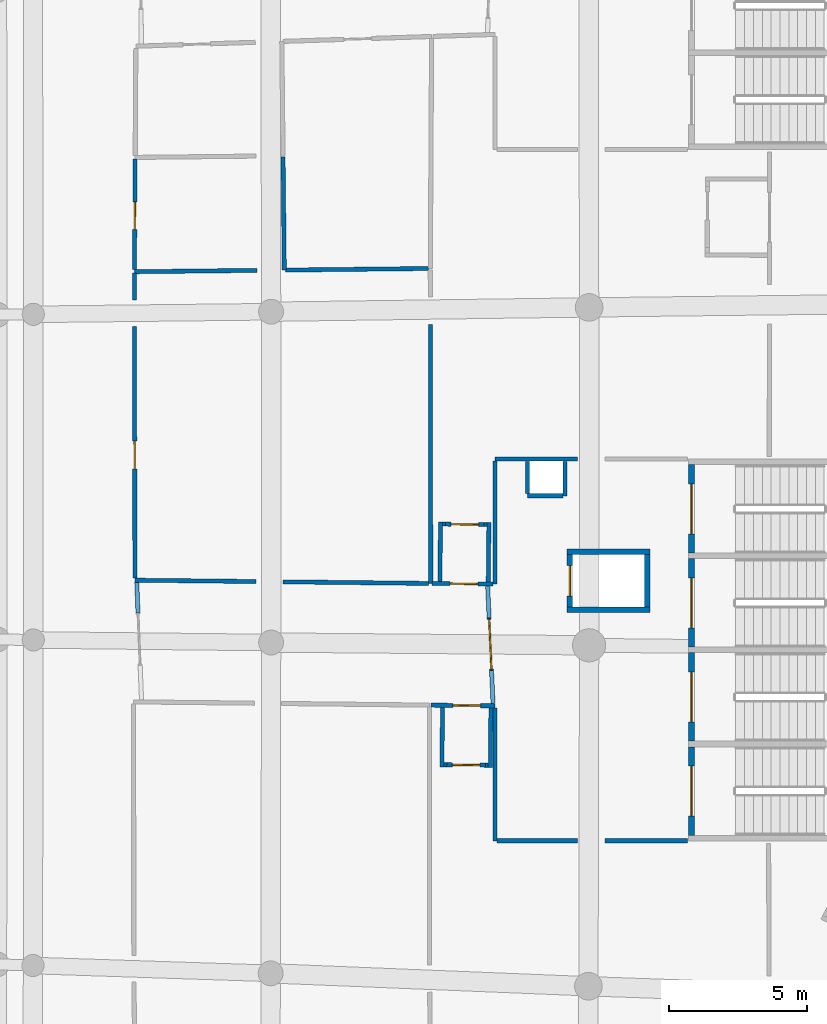
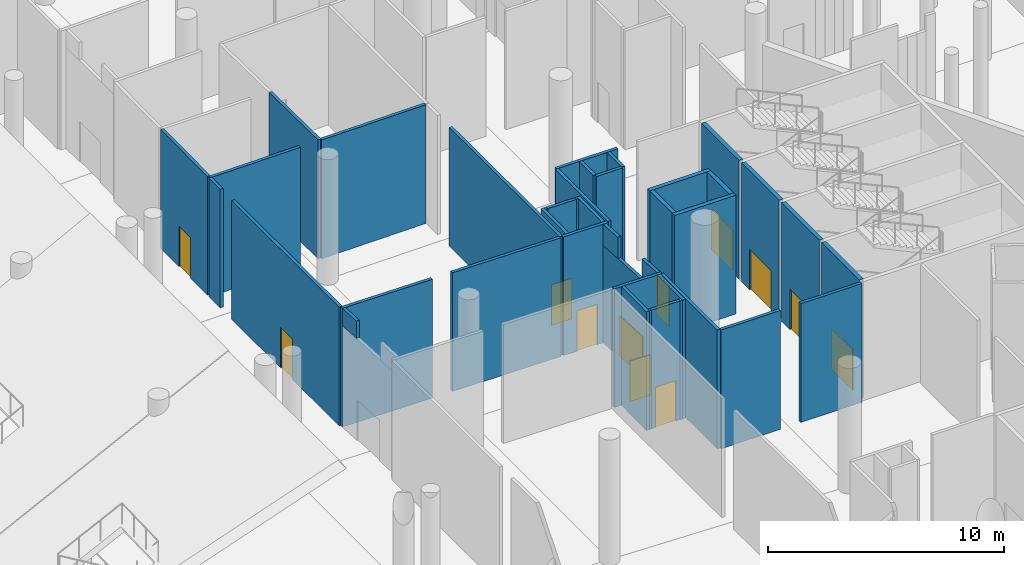
# One storey, part 130 of 255: 41 walls, 12 doors, 12 openings.
"""IFC4 building model written with IfcOpenShell, lengths in metres."""

from ifc_helpers import new_model, si_unit, direction, frame, frame_2d, origin, place, context, subcontext, project, spatial, rectangle, extrude, material, layer, layer_set, type_object, element, fill, save


model = new_model("IFC4")

# Units and contexts
model_context = context("Model", 3, precision=1e-05, world=origin(), true_north=direction((0.0, 1.0)))
body_context = subcontext(model_context, "Body", "Model", "MODEL_VIEW")
ifc_project = project(units=[si_unit("LENGTHUNIT", "METRE"), si_unit("AREAUNIT", "SQUARE_METRE"), si_unit("VOLUMEUNIT", "CUBIC_METRE"), si_unit("PLANEANGLEUNIT", "RADIAN"), si_unit("MASSUNIT", "GRAM", prefix="KILO")], contexts=[model_context])

# Site, building, storey
site_placement = place(None, origin())
site = spatial("IfcSite", under=ifc_project, at=site_placement, CompositionType="ELEMENT")
building_placement = place(site_placement, origin())
building = spatial("IfcBuilding", under=site, at=building_placement, Name="Meseta Stadium", CompositionType="ELEMENT")
storey_placement = place(building_placement, origin())
storey = spatial("IfcBuildingStorey", under=building, at=storey_placement, Name="L00", CompositionType="ELEMENT", Elevation=0.0)

# Wall, opening, door
ifc_material_1 = material(Name="Concrete C40/50", Category="concrete")
ifc_layer_1 = layer(ifc_material_1, 0.199951171875)
ifc_layer_set_1 = layer_set([ifc_layer_1], Name="Core shaft wall 200")
wall_type_1 = type_object("IfcWallType", Name="Core shaft wall 200", PredefinedType="SHEAR", material=ifc_layer_set_1)
wall_1_placement = place(storey_placement, frame((88.699951171875, -12.949951171875, 0.0), z_axis=(0.0, 0.0, 1.0), x_axis=(0.0, 1.0, 0.0)))
wall_1 = element("IfcWall", 1, at=wall_1_placement, inside=storey, type_object=wall_type_1, Name="Core 03 L00 stair A1 inner end wall", PredefinedType="SHEAR", context=body_context, shape_type="SweptSolid", body=[
    extrude(rectangle(XDim=3.199951171875, YDim=0.199951171875, at=frame_2d((1.60009765625, 0.0))), origin(), (0.0, 0.0, 1.0), 6.14990234375),
])
opening_1_placement = place(wall_1_placement, frame((0.699951171875, 0.0, 0.0)))
opening_1 = element("IfcOpeningElement", 2, at=opening_1_placement, cuts=wall_1, Name="Opening D059", PredefinedType="OPENING", context=body_context, shape_type="SweptSolid", body=[
    extrude(rectangle(XDim=1.800048828125, YDim=2.10009765625, at=frame_2d((0.89990234375, 1.050048828125))), frame((0.0, 0.10986328125, 0.0), z_axis=(0.0, -1.0, 0.0), x_axis=(1.0, 0.0, 0.0)), (0.0, 0.0, 1.0), 0.219970703125),
])
ifc_material_2 = material(Name="Steel", Category="steel")
door_type_1 = type_object("IfcDoorType", Name="Stair door 1800x2100", OperationType="DOUBLE_DOOR_SINGLE_SWING", PredefinedType="DOOR", material=ifc_material_2)
door_1_placement = place(opening_1_placement, origin())
door_1 = element("IfcDoor", 3, at=door_1_placement, inside=storey, type_object=door_type_1, Name="Stair A1 door 03 L00", OperationType="DOUBLE_DOOR_SINGLE_SWING", OverallHeight=2.10009765625, OverallWidth=1.800048828125, PredefinedType="DOOR", context=body_context, shape_type="SweptSolid", body=[
    extrude(rectangle(XDim=1.800048828125, YDim=2.10009765625, at=frame_2d((0.89990234375, 1.050048828125))), frame((0.0, 0.02490234375, 0.0), z_axis=(0.0, -1.0, 0.0), x_axis=(1.0, 0.0, 0.0)), (0.0, 0.0, 1.0), 0.050048828125),
])
fill(opening_1, door_1)

wall_2_placement = place(storey_placement, frame((88.699951171875, -9.550048828125, 0.0), z_axis=(0.0, 0.0, 1.0), x_axis=(0.0, 1.0, 0.0)))
wall_2 = element("IfcWall", 4, at=wall_2_placement, inside=storey, type_object=wall_type_1, Name="Core 03 L00 stair A2 inner end wall", PredefinedType="SHEAR", context=body_context, shape_type="SweptSolid", body=[
    extrude(rectangle(XDim=3.199951171875, YDim=0.199951171875, at=frame_2d((1.60009765625, 0.0))), origin(), (0.0, 0.0, 1.0), 6.14990234375),
])
opening_2_placement = place(wall_2_placement, frame((0.699951171875, 0.0, 0.0)))
opening_2 = element("IfcOpeningElement", 5, at=opening_2_placement, cuts=wall_2, Name="Opening D060", PredefinedType="OPENING", context=body_context, shape_type="SweptSolid", body=[
    extrude(rectangle(XDim=1.800048828125, YDim=2.10009765625, at=frame_2d((0.89990234375, 1.050048828125))), frame((0.0, 0.10986328125, 0.0), z_axis=(0.0, -1.0, 0.0), x_axis=(1.0, 0.0, 0.0)), (0.0, 0.0, 1.0), 0.219970703125),
])
door_2_placement = place(opening_2_placement, origin())
door_2 = element("IfcDoor", 6, at=door_2_placement, inside=storey, type_object=door_type_1, Name="Stair A2 door 03 L00", OperationType="DOUBLE_DOOR_SINGLE_SWING", OverallHeight=2.10009765625, OverallWidth=1.800048828125, PredefinedType="DOOR", context=body_context, shape_type="SweptSolid", body=[
    extrude(rectangle(XDim=1.800048828125, YDim=2.10009765625, at=frame_2d((0.89990234375, 1.050048828125))), frame((0.0, 0.02490234375, 0.0), z_axis=(0.0, -1.0, 0.0), x_axis=(1.0, 0.0, 0.0)), (0.0, 0.0, 1.0), 0.050048828125),
])
fill(opening_2, door_2)

wall_3_placement = place(storey_placement, frame((88.699951171875, -6.14990234375, 0.0), z_axis=(0.0, 0.0, 1.0), x_axis=(0.0, 1.0, 0.0)))
wall_3 = element("IfcWall", 7, at=wall_3_placement, inside=storey, type_object=wall_type_1, Name="Core 03 L00 stair B1 inner end wall", PredefinedType="SHEAR", context=body_context, shape_type="SweptSolid", body=[
    extrude(rectangle(XDim=3.199951171875, YDim=0.199951171875, at=frame_2d((1.60009765625, 0.0))), origin(), (0.0, 0.0, 1.0), 6.14990234375),
])
opening_3_placement = place(wall_3_placement, frame((0.699951171875, 0.0, 0.0)))
opening_3 = element("IfcOpeningElement", 8, at=opening_3_placement, cuts=wall_3, Name="Opening D061", PredefinedType="OPENING", context=body_context, shape_type="SweptSolid", body=[
    extrude(rectangle(XDim=1.800048828125, YDim=2.10009765625, at=frame_2d((0.89990234375, 1.050048828125))), frame((0.0, 0.10986328125, 0.0), z_axis=(0.0, -1.0, 0.0), x_axis=(1.0, 0.0, 0.0)), (0.0, 0.0, 1.0), 0.219970703125),
])
door_3_placement = place(opening_3_placement, origin())
door_3 = element("IfcDoor", 9, at=door_3_placement, inside=storey, type_object=door_type_1, Name="Stair B1 door 03 L00", OperationType="DOUBLE_DOOR_SINGLE_SWING", OverallHeight=2.10009765625, OverallWidth=1.800048828125, PredefinedType="DOOR", context=body_context, shape_type="SweptSolid", body=[
    extrude(rectangle(XDim=1.800048828125, YDim=2.10009765625, at=frame_2d((0.89990234375, 1.050048828125))), frame((0.0, 0.02490234375, 0.0), z_axis=(0.0, -1.0, 0.0), x_axis=(1.0, 0.0, 0.0)), (0.0, 0.0, 1.0), 0.050048828125),
])
fill(opening_3, door_3)

wall_4_placement = place(storey_placement, frame((88.699951171875, -2.75, 0.0), z_axis=(0.0, 0.0, 1.0), x_axis=(0.0, 1.0, 0.0)))
wall_4 = element("IfcWall", 10, at=wall_4_placement, inside=storey, type_object=wall_type_1, Name="Core 03 L00 stair B2 inner end wall", PredefinedType="SHEAR", context=body_context, shape_type="SweptSolid", body=[
    extrude(rectangle(XDim=3.199951171875, YDim=0.199951171875, at=frame_2d((1.60009765625, 0.0))), origin(), (0.0, 0.0, 1.0), 6.14990234375),
])
opening_4_placement = place(wall_4_placement, frame((0.699951171875, 0.0, 0.0)))
opening_4 = element("IfcOpeningElement", 11, at=opening_4_placement, cuts=wall_4, Name="Opening D062", PredefinedType="OPENING", context=body_context, shape_type="SweptSolid", body=[
    extrude(rectangle(XDim=1.800048828125, YDim=2.10009765625, at=frame_2d((0.89990234375, 1.050048828125))), frame((0.0, 0.10986328125, 0.0), z_axis=(0.0, -1.0, 0.0), x_axis=(1.0, 0.0, 0.0)), (0.0, 0.0, 1.0), 0.219970703125),
])
door_4_placement = place(opening_4_placement, origin())
door_4 = element("IfcDoor", 12, at=door_4_placement, inside=storey, type_object=door_type_1, Name="Stair B2 door 03 L00", OperationType="DOUBLE_DOOR_SINGLE_SWING", OverallHeight=2.10009765625, OverallWidth=1.800048828125, PredefinedType="DOOR", context=body_context, shape_type="SweptSolid", body=[
    extrude(rectangle(XDim=1.800048828125, YDim=2.10009765625, at=frame_2d((0.89990234375, 1.050048828125))), frame((0.0, 0.02490234375, 0.0), z_axis=(0.0, -1.0, 0.0), x_axis=(1.0, 0.0, 0.0)), (0.0, 0.0, 1.0), 0.050048828125),
])
fill(opening_4, door_4)

# Walls
for number, where, z_axis, x_axis, name in (
    (13, (87.199951171875, -4.800048828125, 0.0), (0.0, 0.0, 1.0), (-1.0, 0.0, 0.0), "Core 03 L00 lift shaft wall left"),
    (14, (87.199951171875, -2.699951171875, 0.0), (0.0, 0.0, 1.0), (-1.0, 0.0, 0.0), "Core 03 L00 lift shaft wall right"),
):
    element("IfcWall", number, at=place(storey_placement, frame(where, z_axis=z_axis, x_axis=x_axis)), inside=storey, type_object=wall_type_1, Name=name, PredefinedType="SHEAR", context=body_context, shape_type="SweptSolid", body=[
        extrude(rectangle(XDim=3.0, YDim=0.199951171875, at=frame_2d((1.5, 0.0))), origin(), (0.0, 0.0, 1.0), 6.14990234375),
    ])
wall_5_placement = place(storey_placement, frame((87.10009765625, -4.699951171875, 0.0), z_axis=(0.0, 0.0, 1.0), x_axis=(0.0, 1.0, 0.0)))
element("IfcWall", 15, at=wall_5_placement, inside=storey, type_object=wall_type_1, Name="Core 03 L00 lift shaft back wall", PredefinedType="SHEAR", context=body_context, shape_type="SweptSolid", body=[
    extrude(rectangle(XDim=1.89990234375, YDim=0.199951171875, at=frame_2d((0.949951171875, 0.0))), origin(), (0.0, 0.0, 1.0), 6.14990234375),
])

# Wall, opening, door
wall_6_placement = place(storey_placement, frame((84.300048828125, -4.699951171875, 0.0), z_axis=(0.0, 0.0, 1.0), x_axis=(0.0, 1.0, 0.0)))
wall_6 = element("IfcWall", 16, at=wall_6_placement, inside=storey, type_object=wall_type_1, Name="Core 03 L00 lift shaft front wall", PredefinedType="SHEAR", context=body_context, shape_type="SweptSolid", body=[
    extrude(rectangle(XDim=1.89990234375, YDim=0.199951171875, at=frame_2d((0.949951171875, 0.0))), origin(), (0.0, 0.0, 1.0), 6.14990234375),
])
opening_5_placement = place(wall_6_placement, frame((0.39990234375, 0.0, 0.0)))
opening_5 = element("IfcOpeningElement", 17, at=opening_5_placement, cuts=wall_6, Name="Opening LD14", PredefinedType="OPENING", context=body_context, shape_type="SweptSolid", body=[
    extrude(rectangle(XDim=1.10009765625, YDim=2.10009765625, at=frame_2d((0.550048828125, 1.050048828125))), frame((0.0, 0.10986328125, 0.0), z_axis=(0.0, -1.0, 0.0), x_axis=(1.0, 0.0, 0.0)), (0.0, 0.0, 1.0), 0.219970703125),
])
ifc_material_3 = material(Name="Steel", Category="steel")
door_type_2 = type_object("IfcDoorType", Name="Lift landing door 1100x2100", OperationType="SLIDING_TO_LEFT", PredefinedType="DOOR", material=ifc_material_3)
door_5_placement = place(opening_5_placement, origin())
door_5 = element("IfcDoor", 18, at=door_5_placement, inside=storey, type_object=door_type_2, Name="Lift landing door LD14", OperationType="SLIDING_TO_RIGHT", OverallHeight=2.10009765625, OverallWidth=1.10009765625, PredefinedType="DOOR", context=body_context, shape_type="SweptSolid", body=[
    extrude(rectangle(XDim=1.10009765625, YDim=2.10009765625, at=frame_2d((0.550048828125, 1.050048828125))), frame((0.0, 0.02490234375, 0.0), z_axis=(0.0, -1.0, 0.0), x_axis=(1.0, 0.0, 0.0)), (0.0, 0.0, 1.0), 0.050048828125),
])
fill(opening_5, door_5)

ifc_material_4 = material(Name="Masonry blockwork", Category="masonry")
ifc_layer_2 = layer(ifc_material_4, 0.14990234375)
ifc_layer_set_2 = layer_set([ifc_layer_2], Name="Partition 150")
wall_type_2 = type_object("IfcWallType", Name="Partition 150", PredefinedType="PARTITIONING", material=ifc_layer_set_2)
wall_7_placement = place(storey_placement, frame((79.273681640625, -8.244873046875, 0.0), z_axis=(0.0, 0.0, 1.0), x_axis=(0.999940447056, -0.010913401878, 0.0)))
wall_7 = element("IfcWall", 19, at=wall_7_placement, inside=storey, type_object=wall_type_2, Name="Partition L00 L00-cell01-2-0", PredefinedType="PARTITIONING", context=body_context, shape_type="SweptSolid", body=[
    extrude(rectangle(XDim=2.32666015625, YDim=0.14990234375, at=frame_2d((1.163330078125, 0.0))), origin(), (0.0, 0.0, 1.0), 6.14990234375),
])
opening_6_placement = place(wall_7_placement, frame((0.800048828125, 0.0, 0.0)))
opening_6 = element("IfcOpeningElement", 20, at=opening_6_placement, cuts=wall_7, Name="Opening D538", PredefinedType="OPENING", context=body_context, shape_type="SweptSolid", body=[
    extrude(rectangle(XDim=1.0, YDim=2.10009765625, at=frame_2d((0.5, 1.050048828125))), frame((0.0, 0.0849609375, 0.0), z_axis=(0.0, -1.0, 0.0), x_axis=(1.0, 0.0, 0.0)), (0.0, 0.0, 1.0), 0.169921875),
])
ifc_material_5 = material(Name="Steel", Category="steel")
door_type_3 = type_object("IfcDoorType", Name="Fire door 1000x2100 EI2 120", OperationType="NOTDEFINED", PredefinedType="DOOR", material=ifc_material_5)
door_6_placement = place(opening_6_placement, origin())
door_6 = element("IfcDoor", 21, at=door_6_placement, inside=storey, type_object=door_type_3, Name="Door D538", OperationType="SINGLE_SWING_RIGHT", OverallHeight=2.10009765625, OverallWidth=1.0, PredefinedType="DOOR", context=body_context, shape_type="SweptSolid", body=[
    extrude(rectangle(XDim=1.0, YDim=2.10009765625, at=frame_2d((0.5, 1.050048828125))), frame((0.0, 0.02490234375, 0.0), z_axis=(0.0, -1.0, 0.0), x_axis=(1.0, 0.0, 0.0)), (0.0, 0.0, 1.0), 0.050048828125),
])
fill(opening_6, door_6)

# Walls
wall_8_placement = place(storey_placement, frame((81.60009765625, -8.34521484375, 0.0), z_axis=(0.0, 0.0, 1.0), x_axis=(0.0, -1.0, 0.0)))
element("IfcWall", 22, at=wall_8_placement, inside=storey, type_object=wall_type_2, Name="Partition L00 L00-cell01-2-0", PredefinedType="PARTITIONING", context=body_context, shape_type="SweptSolid", body=[
    extrude(rectangle(XDim=4.8046875, YDim=0.14990234375, at=frame_2d((2.40234375, 0.0))), origin(), (0.0, 0.0, 1.0), 6.14990234375),
])
wall_9_placement = place(storey_placement, frame((81.675048828125, -13.14990234375, 0.0), z_axis=(0.0, 0.0, 1.0), x_axis=(1.0, 0.0, 0.0)))
element("IfcWall", 23, at=wall_9_placement, inside=storey, type_object=wall_type_2, Name="Partition L00 L00-cell01-2-0", PredefinedType="PARTITIONING", context=body_context, shape_type="SweptSolid", body=[
    extrude(rectangle(XDim=2.907958984375, YDim=0.14990234375, at=frame_2d((1.4541015625, 0.0))), origin(), (0.0, 0.0, 1.0), 6.14990234375),
])
wall_10_placement = place(storey_placement, frame((85.5771484375, -13.14990234375, 0.0), z_axis=(0.0, 0.0, 1.0), x_axis=(1.0, 0.0, 0.0)))
element("IfcWall", 24, at=wall_10_placement, inside=storey, type_object=wall_type_2, Name="Partition L00 L00-cell01-2-0", PredefinedType="PARTITIONING", context=body_context, shape_type="SweptSolid", body=[
    extrude(rectangle(XDim=2.98291015625, YDim=0.14990234375, at=frame_2d((1.491455078125, 0.0))), origin(), (0.0, 0.0, 1.0), 6.14990234375),
])
wall_11_placement = place(storey_placement, frame((73.930908203125, 11.570068359375, 0.0), z_axis=(0.0, 0.0, 1.0), x_axis=(0.010941049119, -0.999940144931, 0.0)))
element("IfcWall", 25, at=wall_11_placement, inside=storey, type_object=wall_type_2, Name="Partition L00 L00-cell02-1-0b1", PredefinedType="PARTITIONING", context=body_context, shape_type="SweptSolid", body=[
    extrude(rectangle(XDim=4.08349609375, YDim=0.14990234375, at=frame_2d((2.041748046875, 0.0))), origin(), (0.0, 0.0, 1.0), 6.14990234375),
])
wall_12_placement = place(storey_placement, frame((72.990478515625, 7.475830078125, 0.0), z_axis=(0.0, 0.0, 1.0), x_axis=(-0.999939945045, -0.010959302146, 0.0)))
element("IfcWall", 26, at=wall_12_placement, inside=storey, type_object=wall_type_2, Name="Partition L00 L00-cell02-1-0b1", PredefinedType="PARTITIONING", context=body_context, shape_type="SweptSolid", body=[
    extrude(rectangle(XDim=4.43310546875, YDim=0.14990234375, at=frame_2d((2.216552734375, 0.0))), origin(), (0.0, 0.0, 1.0), 6.14990234375),
])

# Wall, opening, door
wall_13_placement = place(storey_placement, frame((68.55810546875, 7.502197265625, 0.0), z_axis=(0.0, 0.0, 1.0), x_axis=(0.006089279382, 0.999981460166, 0.0)))
wall_13 = element("IfcWall", 27, at=wall_13_placement, inside=storey, type_object=wall_type_2, Name="Partition L00 L00-cell02-1-0b1", PredefinedType="PARTITIONING", context=body_context, shape_type="SweptSolid", body=[
    extrude(rectangle(XDim=4.00927734375, YDim=0.14990234375, at=frame_2d((2.004638671875, 0.0))), origin(), (0.0, 0.0, 1.0), 6.14990234375),
])
opening_7_placement = place(wall_13_placement, frame((1.449951171875, 0.0, 0.0)))
opening_7 = element("IfcOpeningElement", 28, at=opening_7_placement, cuts=wall_13, Name="Opening D541", PredefinedType="OPENING", context=body_context, shape_type="SweptSolid", body=[
    extrude(rectangle(XDim=1.0, YDim=2.10009765625, at=frame_2d((0.5, 1.050048828125))), frame((0.0, 0.0849609375, 0.0), z_axis=(0.0, -1.0, 0.0), x_axis=(1.0, 0.0, 0.0)), (0.0, 0.0, 1.0), 0.169921875),
])
ifc_material_6 = material(Name="Timber", Category="wood")
door_type_4 = type_object("IfcDoorType", Name="Room door 1000x2100", OperationType="NOTDEFINED", PredefinedType="DOOR", material=ifc_material_6)
door_7_placement = place(opening_7_placement, origin())
door_7 = element("IfcDoor", 29, at=door_7_placement, inside=storey, type_object=door_type_4, Name="Door D541", OperationType="SINGLE_SWING_LEFT", OverallHeight=2.10009765625, OverallWidth=1.0, PredefinedType="DOOR", context=body_context, shape_type="SweptSolid", body=[
    extrude(rectangle(XDim=1.0, YDim=2.10009765625, at=frame_2d((0.5, 1.050048828125))), frame((0.0, 0.02490234375, 0.0), z_axis=(0.0, -1.0, 0.0), x_axis=(1.0, 0.0, 0.0)), (0.0, 0.0, 1.0), 0.050048828125),
])
fill(opening_7, door_7)

# Walls
wall_14_placement = place(storey_placement, frame((79.180908203125, 7.543701171875, 0.0), z_axis=(0.0, 0.0, 1.0), x_axis=(-0.999940168254, -0.010938917355, 0.0)))
element("IfcWall", 30, at=wall_14_placement, inside=storey, type_object=wall_type_2, Name="Partition L00 L00-cell02-1-0b2", PredefinedType="PARTITIONING", context=body_context, shape_type="SweptSolid", body=[
    extrude(rectangle(XDim=5.155517578125, YDim=0.14990234375, at=frame_2d((2.57763671875, 0.0))), origin(), (0.0, 0.0, 1.0), 6.14990234375),
])
wall_15_placement = place(storey_placement, frame((79.258056640625, 5.5224609375, 0.0), z_axis=(0.0, 0.0, 1.0), x_axis=(0.001459586112, -0.999998934804, 0.0)))
element("IfcWall", 31, at=wall_15_placement, inside=storey, type_object=wall_type_2, Name="Partition L00 L00-cell02-1-0w", PredefinedType="PARTITIONING", context=body_context, shape_type="SweptSolid", body=[
    extrude(rectangle(XDim=9.366943359375, YDim=0.14990234375, at=frame_2d((4.68359375, 0.0))), origin(), (0.0, 0.0, 1.0), 6.14990234375),
])
wall_16_placement = place(storey_placement, frame((79.19677734375, -3.84375, 0.0), z_axis=(0.0, 0.0, 1.0), x_axis=(-0.999939838458, 0.010969022991, 0.0)))
element("IfcWall", 32, at=wall_16_placement, inside=storey, type_object=wall_type_2, Name="Partition L00 L00-cell02-1-0w", PredefinedType="PARTITIONING", context=body_context, shape_type="SweptSolid", body=[
    extrude(rectangle(XDim=5.27490234375, YDim=0.14990234375, at=frame_2d((2.637451171875, 0.0))), origin(), (0.0, 0.0, 1.0), 6.14990234375),
])
wall_17_placement = place(storey_placement, frame((72.949462890625, -3.775146484375, 0.0), z_axis=(0.0, 0.0, 1.0), x_axis=(-0.999940244273, 0.01093196608, 0.0)))
element("IfcWall", 33, at=wall_17_placement, inside=storey, type_object=wall_type_2, Name="Partition L00 L00-cell02-1-0w", PredefinedType="PARTITIONING", context=body_context, shape_type="SweptSolid", body=[
    extrude(rectangle(XDim=4.377197265625, YDim=0.14990234375, at=frame_2d((2.1884765625, 0.0))), origin(), (0.0, 0.0, 1.0), 6.14990234375),
])

# Wall, opening, door
wall_18_placement = place(storey_placement, frame((68.572265625, -3.652099609375, 0.0), z_axis=(0.0, 0.0, 1.0), x_axis=(-0.001395372441, 0.999999026467, 0.0)))
wall_18 = element("IfcWall", 34, at=wall_18_placement, inside=storey, type_object=wall_type_2, Name="Partition L00 L00-cell02-1-0w", PredefinedType="PARTITIONING", context=body_context, shape_type="SweptSolid", body=[
    extrude(rectangle(XDim=9.09814453125, YDim=0.14990234375, at=frame_2d((4.549072265625, 0.0))), origin(), (0.0, 0.0, 1.0), 6.14990234375),
])
opening_8_placement = place(wall_18_placement, frame((3.949951171875, 0.0, 0.0)))
opening_8 = element("IfcOpeningElement", 35, at=opening_8_placement, cuts=wall_18, Name="Opening D543", PredefinedType="OPENING", context=body_context, shape_type="SweptSolid", body=[
    extrude(rectangle(XDim=1.0, YDim=2.10009765625, at=frame_2d((0.5, 1.050048828125))), frame((0.0, 0.0849609375, 0.0), z_axis=(0.0, -1.0, 0.0), x_axis=(1.0, 0.0, 0.0)), (0.0, 0.0, 1.0), 0.169921875),
])
door_8_placement = place(opening_8_placement, origin())
door_8 = element("IfcDoor", 36, at=door_8_placement, inside=storey, type_object=door_type_4, Name="Door D543", OperationType="SINGLE_SWING_LEFT", OverallHeight=2.10009765625, OverallWidth=1.0, PredefinedType="DOOR", context=body_context, shape_type="SweptSolid", body=[
    extrude(rectangle(XDim=1.0, YDim=2.10009765625, at=frame_2d((0.5, 1.050048828125))), frame((0.0, 0.02490234375, 0.0), z_axis=(0.0, -1.0, 0.0), x_axis=(1.0, 0.0, 0.0)), (0.0, 0.0, 1.0), 0.050048828125),
])
fill(opening_8, door_8)

# Walls
wall_19_placement = place(storey_placement, frame((68.55810546875, 6.41162109375, 0.0), z_axis=(0.0, 0.0, 1.0), x_axis=(-0.001264221493, 0.999999200872, 0.0)))
element("IfcWall", 37, at=wall_19_placement, inside=storey, type_object=wall_type_2, Name="Partition L00 L00-cell02-1-0w", PredefinedType="PARTITIONING", context=body_context, shape_type="SweptSolid", body=[
    extrude(rectangle(XDim=0.965576171875, YDim=0.14990234375, at=frame_2d((0.48291015625, 0.0))), origin(), (0.0, 0.0, 1.0), 6.14990234375),
])
wall_20_placement = place(storey_placement, frame((84.5830078125, 0.64990234375, 0.0), z_axis=(0.0, 0.0, 1.0), x_axis=(-1.0, 0.0, 0.0)))
element("IfcWall", 38, at=wall_20_placement, inside=storey, type_object=wall_type_2, Name="Partition L00 L00-cell02-2-0", PredefinedType="PARTITIONING", context=body_context, shape_type="SweptSolid", body=[
    extrude(rectangle(XDim=2.98291015625, YDim=0.14990234375, at=frame_2d((1.491455078125, 0.0))), origin(), (0.0, 0.0, 1.0), 6.14990234375),
])
wall_21_placement = place(storey_placement, frame((81.60009765625, 0.574951171875, 0.0), z_axis=(0.0, 0.0, 1.0), x_axis=(0.0, -1.0, 0.0)))
element("IfcWall", 39, at=wall_21_placement, inside=storey, type_object=wall_type_2, Name="Partition L00 L00-cell02-2-0", PredefinedType="PARTITIONING", context=body_context, shape_type="SweptSolid", body=[
    extrude(rectangle(XDim=4.445068359375, YDim=0.14990234375, at=frame_2d((2.22265625, 0.0))), origin(), (0.0, 0.0, 1.0), 6.14990234375),
])

# Wall, opening, door
wall_22_placement = place(storey_placement, frame((81.52490234375, -3.869140625, 0.0), z_axis=(0.0, 0.0, 1.0), x_axis=(-0.999941036186, 0.010859288735, 0.0)))
wall_22 = element("IfcWall", 40, at=wall_22_placement, inside=storey, type_object=wall_type_2, Name="Partition L00 L00-cell02-2-0", PredefinedType="PARTITIONING", context=body_context, shape_type="SweptSolid", body=[
    extrude(rectangle(XDim=2.203369140625, YDim=0.14990234375, at=frame_2d((1.1015625, 0.0))), origin(), (0.0, 0.0, 1.0), 6.14990234375),
])
opening_9_placement = place(wall_22_placement, frame((0.550048828125, 0.0, 0.0)))
opening_9 = element("IfcOpeningElement", 41, at=opening_9_placement, cuts=wall_22, Name="Opening D544", PredefinedType="OPENING", context=body_context, shape_type="SweptSolid", body=[
    extrude(rectangle(XDim=1.0, YDim=2.10009765625, at=frame_2d((0.5, 1.050048828125))), frame((0.0, 0.0849609375, 0.0), z_axis=(0.0, -1.0, 0.0), x_axis=(1.0, 0.0, 0.0)), (0.0, 0.0, 1.0), 0.169921875),
])
ifc_material_7 = material(Name="Steel", Category="steel")
door_type_5 = type_object("IfcDoorType", Name="Fire door 1000x2100 EI2 60", OperationType="NOTDEFINED", PredefinedType="DOOR", material=ifc_material_7)
door_9_placement = place(opening_9_placement, origin())
door_9 = element("IfcDoor", 42, at=door_9_placement, inside=storey, type_object=door_type_5, Name="Door D544", OperationType="SINGLE_SWING_LEFT", OverallHeight=2.10009765625, OverallWidth=1.0, PredefinedType="DOOR", context=body_context, shape_type="SweptSolid", body=[
    extrude(rectangle(XDim=1.0, YDim=2.10009765625, at=frame_2d((0.5, 1.050048828125))), frame((0.0, 0.02490234375, 0.0), z_axis=(0.0, -1.0, 0.0), x_axis=(1.0, 0.0, 0.0)), (0.0, 0.0, 1.0), 0.050048828125),
])
fill(opening_9, door_9)

# Walls
wall_23_placement = place(storey_placement, frame((84.125, -0.675048828125, 0.0), z_axis=(0.0, 0.0, 1.0), x_axis=(0.0, 1.0, 0.0)))
element("IfcWall", 43, at=wall_23_placement, inside=storey, type_object=wall_type_2, Name="Pressurisation shaft wall L00 core 03", PredefinedType="PARTITIONING", context=body_context, shape_type="SweptSolid", body=[
    extrude(rectangle(XDim=1.2490234375, YDim=0.14990234375, at=frame_2d((0.62451171875, 0.0))), origin(), (0.0, 0.0, 1.0), 6.14990234375),
])
wall_24_placement = place(storey_placement, frame((82.77490234375, 0.573974609375, 0.0), z_axis=(0.0, 0.0, 1.0), x_axis=(0.0, -1.0, 0.0)))
element("IfcWall", 44, at=wall_24_placement, inside=storey, type_object=wall_type_2, Name="Pressurisation shaft wall L00 core 03", PredefinedType="PARTITIONING", context=body_context, shape_type="SweptSolid", body=[
    extrude(rectangle(XDim=1.174072265625, YDim=0.14990234375, at=frame_2d((0.5869140625, 0.0))), origin(), (0.0, 0.0, 1.0), 6.14990234375),
])
wall_25_placement = place(storey_placement, frame((82.77490234375, -0.675048828125, 0.0), z_axis=(0.0, 0.0, 1.0), x_axis=(1.0, 0.0, 0.0)))
element("IfcWall", 45, at=wall_25_placement, inside=storey, type_object=wall_type_2, Name="Pressurisation shaft wall L00 core 03", PredefinedType="PARTITIONING", context=body_context, shape_type="SweptSolid", body=[
    extrude(rectangle(XDim=1.275146484375, YDim=0.14990234375, at=frame_2d((0.6376953125, 0.0))), origin(), (0.0, 0.0, 1.0), 6.14990234375),
])
for number, where, z_axis, x_axis, name in (
    (46, (79.69775390625, -8.324462890625, 0.0), (0.0, 0.0, 1.0), (-0.010901010208, -0.999940582223, 0.0), "Partition L00 L00-cell01-2-0 vestibule"),
    (47, (81.447509765625, -8.343505859375, 0.0), (0.0, 0.0, 1.0), (-0.010901010208, -0.999940582223, 0.0), "Partition L00 L00-cell01-2-0 vestibule"),
):
    element("IfcWall", number, at=place(storey_placement, frame(where, z_axis=z_axis, x_axis=x_axis)), inside=storey, type_object=wall_type_2, Name=name, PredefinedType="PARTITIONING", context=body_context, shape_type="SweptSolid", body=[
        extrude(rectangle(XDim=2.150146484375, YDim=0.14990234375, at=frame_2d((1.0751953125, 0.0))), origin(), (0.0, 0.0, 1.0), 6.14990234375),
    ])
wall_26_placement = place(storey_placement, frame((79.75, -10.400146484375, 0.0), z_axis=(0.0, 0.0, 1.0), x_axis=(0.999952412677, -0.009755633294, 0.0)))
element("IfcWall", 48, at=wall_26_placement, inside=storey, type_object=wall_type_2, Name="Partition L00 L00-cell01-2-0 vestibule", PredefinedType="PARTITIONING", context=body_context, shape_type="SweptSolid", body=[
    extrude(rectangle(XDim=0.10009765625, YDim=0.14990234375, at=frame_2d((0.050048828125, 0.0))), origin(), (0.0, 0.0, 1.0), 6.14990234375),
])

# Wall, opening, door
wall_27_placement = place(storey_placement, frame((79.85009765625, -10.401123046875, 0.0), z_axis=(0.0, 0.0, 1.0), x_axis=(0.999939647341, -0.010986431424, 0.0)))
wall_27 = element("IfcWall", 49, at=wall_27_placement, inside=storey, type_object=wall_type_2, Name="Partition L00 L00-cell01-2-0 vestibule", PredefinedType="PARTITIONING", context=body_context, shape_type="SweptSolid", body=[
    extrude(rectangle(XDim=1.39990234375, YDim=0.14990234375, at=frame_2d((0.699951171875, 0.0))), origin(), (0.0, 0.0, 1.0), 6.14990234375),
])
opening_10_placement = place(wall_27_placement, frame((0.199951171875, 0.0, 0.0)))
opening_10 = element("IfcOpeningElement", 50, at=opening_10_placement, cuts=wall_27, Name="Opening D821", PredefinedType="OPENING", context=body_context, shape_type="SweptSolid", body=[
    extrude(rectangle(XDim=1.0, YDim=2.10009765625, at=frame_2d((0.5, 1.050048828125))), frame((0.0, 0.0849609375, 0.0), z_axis=(0.0, -1.0, 0.0), x_axis=(1.0, 0.0, 0.0)), (0.0, 0.0, 1.0), 0.169921875),
])
door_10_placement = place(opening_10_placement, origin())
door_10 = element("IfcDoor", 51, at=door_10_placement, inside=storey, type_object=door_type_5, Name="Vestibule door L00 L00-cell01-2-0", OperationType="SINGLE_SWING_LEFT", OverallHeight=2.10009765625, OverallWidth=1.0, PredefinedType="DOOR", context=body_context, shape_type="SweptSolid", body=[
    extrude(rectangle(XDim=1.0, YDim=2.10009765625, at=frame_2d((0.5, 1.050048828125))), frame((0.0, 0.02490234375, 0.0), z_axis=(0.0, -1.0, 0.0), x_axis=(1.0, 0.0, 0.0)), (0.0, 0.0, 1.0), 0.050048828125),
])
fill(opening_10, door_10)

# Walls
wall_28_placement = place(storey_placement, frame((81.25, -10.41650390625, 0.0), z_axis=(0.0, 0.0, 1.0), x_axis=(0.999925283809, -0.012224025474, 0.0)))
element("IfcWall", 52, at=wall_28_placement, inside=storey, type_object=wall_type_2, Name="Partition L00 L00-cell01-2-0 vestibule", PredefinedType="PARTITIONING", context=body_context, shape_type="SweptSolid", body=[
    extrude(rectangle(XDim=0.099853515625, YDim=0.14990234375, at=frame_2d((0.0498046875, 0.0))), origin(), (0.0, 0.0, 1.0), 6.14990234375),
])
for number, where, z_axis, x_axis, name in (
    (53, (81.350830078125, -3.792236328125, 0.0), (0.0, 0.0, 1.0), (0.010901010208, 0.999940582223, 0.0), "Partition L00 L00-cell02-2-0 vestibule"),
    (54, (79.600830078125, -3.773193359375, 0.0), (0.0, 0.0, 1.0), (0.011014548693, 0.999939338019, 0.0), "Partition L00 L00-cell02-2-0 vestibule"),
):
    element("IfcWall", number, at=place(storey_placement, frame(where, z_axis=z_axis, x_axis=x_axis)), inside=storey, type_object=wall_type_2, Name=name, PredefinedType="PARTITIONING", context=body_context, shape_type="SweptSolid", body=[
        extrude(rectangle(XDim=2.150146484375, YDim=0.14990234375, at=frame_2d((1.0751953125, 0.0))), origin(), (0.0, 0.0, 1.0), 6.14990234375),
    ])
wall_29_placement = place(storey_placement, frame((81.298583984375, -1.716552734375, 0.0), z_axis=(0.0, 0.0, 1.0), x_axis=(-0.999952412677, 0.009755633294, 0.0)))
element("IfcWall", 55, at=wall_29_placement, inside=storey, type_object=wall_type_2, Name="Partition L00 L00-cell02-2-0 vestibule", PredefinedType="PARTITIONING", context=body_context, shape_type="SweptSolid", body=[
    extrude(rectangle(XDim=0.10009765625, YDim=0.14990234375, at=frame_2d((0.050048828125, 0.0))), origin(), (0.0, 0.0, 1.0), 6.14990234375),
])

# Wall, opening, door
wall_30_placement = place(storey_placement, frame((81.198486328125, -1.715576171875, 0.0), z_axis=(0.0, 0.0, 1.0), x_axis=(-0.999939647341, 0.010986431424, 0.0)))
wall_30 = element("IfcWall", 56, at=wall_30_placement, inside=storey, type_object=wall_type_2, Name="Partition L00 L00-cell02-2-0 vestibule", PredefinedType="PARTITIONING", context=body_context, shape_type="SweptSolid", body=[
    extrude(rectangle(XDim=1.39990234375, YDim=0.14990234375, at=frame_2d((0.699951171875, 0.0))), origin(), (0.0, 0.0, 1.0), 6.14990234375),
])
opening_11_placement = place(wall_30_placement, frame((0.199951171875, 0.0, 0.0)))
opening_11 = element("IfcOpeningElement", 57, at=opening_11_placement, cuts=wall_30, Name="Opening D825", PredefinedType="OPENING", context=body_context, shape_type="SweptSolid", body=[
    extrude(rectangle(XDim=1.0, YDim=2.10009765625, at=frame_2d((0.5, 1.050048828125))), frame((0.0, 0.0849609375, 0.0), z_axis=(0.0, -1.0, 0.0), x_axis=(1.0, 0.0, 0.0)), (0.0, 0.0, 1.0), 0.169921875),
])
door_11_placement = place(opening_11_placement, origin())
door_11 = element("IfcDoor", 58, at=door_11_placement, inside=storey, type_object=door_type_5, Name="Vestibule door L00 L00-cell02-2-0", OperationType="SINGLE_SWING_RIGHT", OverallHeight=2.10009765625, OverallWidth=1.0, PredefinedType="DOOR", context=body_context, shape_type="SweptSolid", body=[
    extrude(rectangle(XDim=1.0, YDim=2.10009765625, at=frame_2d((0.5, 1.050048828125))), frame((0.0, 0.02490234375, 0.0), z_axis=(0.0, -1.0, 0.0), x_axis=(1.0, 0.0, 0.0)), (0.0, 0.0, 1.0), 0.050048828125),
])
fill(opening_11, door_11)

# Wall
wall_31_placement = place(storey_placement, frame((79.798583984375, -1.7001953125, 0.0), z_axis=(0.0, 0.0, 1.0), x_axis=(-0.999952412677, 0.009755633294, 0.0)))
element("IfcWall", 59, at=wall_31_placement, inside=storey, type_object=wall_type_2, Name="Partition L00 L00-cell02-2-0 vestibule", PredefinedType="PARTITIONING", context=body_context, shape_type="SweptSolid", body=[
    extrude(rectangle(XDim=0.10009765625, YDim=0.14990234375, at=frame_2d((0.050048828125, 0.0))), origin(), (0.0, 0.0, 1.0), 6.14990234375),
])

# Wall, opening, door
wall_32_placement = place(storey_placement, frame((81.52392578125, -8.189208984375, 0.0), z_axis=(0.0, 0.0, 1.0), x_axis=(-0.045764948474, 0.998952235841, 0.0)))
wall_32 = element("IfcWall", 60, at=wall_32_placement, inside=storey, type_object=wall_type_2, Name="Escape corridor sector wall L00 core 03", PredefinedType="PARTITIONING", context=body_context, shape_type="SweptSolid", body=[
    extrude(rectangle(XDim=4.246337890625, YDim=0.14990234375, at=frame_2d((2.123046875, 0.0))), origin(), (0.0, 0.0, 1.0), 5.050048828125),
])
opening_12_placement = place(wall_32_placement, frame((1.25, 0.0, 0.0)))
opening_12 = element("IfcOpeningElement", 61, at=opening_12_placement, cuts=wall_32, Name="Opening D407", PredefinedType="OPENING", context=body_context, shape_type="SweptSolid", body=[
    extrude(rectangle(XDim=1.800048828125, YDim=2.10009765625, at=frame_2d((0.89990234375, 1.050048828125))), frame((0.0, 0.0849609375, 0.0), z_axis=(0.0, -1.0, 0.0), x_axis=(1.0, 0.0, 0.0)), (0.0, 0.0, 1.0), 0.169921875),
])
ifc_material_8 = material(Name="Steel", Category="steel")
door_type_6 = type_object("IfcDoorType", Name="Fire double door 1800x2100 EI2 60", OperationType="DOUBLE_DOOR_SINGLE_SWING", PredefinedType="DOOR", material=ifc_material_8)
door_12_placement = place(opening_12_placement, origin())
door_12 = element("IfcDoor", 62, at=door_12_placement, inside=storey, type_object=door_type_6, Name="Escape corridor door EC03-1", OperationType="DOUBLE_DOOR_SINGLE_SWING", OverallHeight=2.10009765625, OverallWidth=1.800048828125, PredefinedType="DOOR", context=body_context, shape_type="SweptSolid", body=[
    extrude(rectangle(XDim=1.800048828125, YDim=2.10009765625, at=frame_2d((0.89990234375, 1.050048828125))), frame((0.0, 0.02490234375, 0.0), z_axis=(0.0, -1.0, 0.0), x_axis=(1.0, 0.0, 0.0)), (0.0, 0.0, 1.0), 0.050048828125),
])
fill(opening_12, door_12)

# Walls
wall_33_placement = place(storey_placement, frame((81.52392578125, -8.189208984375, 5.050048828125), z_axis=(0.0, 0.0, 1.0), x_axis=(-0.045776808716, 0.998951692418, 0.0)))
element("IfcWall", 63, at=wall_33_placement, inside=storey, type_object=wall_type_2, Name="Escape corridor sector wall L00 core 03", PredefinedType="PARTITIONING", context=body_context, shape_type="SweptSolid", body=[
    extrude(rectangle(XDim=1.199951171875, YDim=0.14990234375, at=frame_2d((0.60009765625, 0.0))), origin(), (0.0, 0.0, 1.0), 1.099853515625),
])
wall_34_placement = place(storey_placement, frame((81.382080078125, -5.092529296875, 5.050048828125), z_axis=(0.0, 0.0, 1.0), x_axis=(-0.045784382699, 0.998951345312, 0.0)))
element("IfcWall", 64, at=wall_34_placement, inside=storey, type_object=wall_type_2, Name="Escape corridor sector wall L00 core 03", PredefinedType="PARTITIONING", context=body_context, shape_type="SweptSolid", body=[
    extrude(rectangle(XDim=1.146484375, YDim=0.14990234375, at=frame_2d((0.5732421875, 0.0))), origin(), (0.0, 0.0, 1.0), 1.099853515625),
])
wall_35_placement = place(storey_placement, frame((68.685546875, -4.906982421875, 5.25), z_axis=(0.0, 0.0, 1.0), x_axis=(-0.0401719, 0.999192783426, 0.0)))
element("IfcWall", 65, at=wall_35_placement, inside=storey, type_object=wall_type_2, Name="Escape corridor discharge wall L00 core 03", PredefinedType="PARTITIONING", context=body_context, shape_type="SweptSolid", body=[
    extrude(rectangle(XDim=1.10009765625, YDim=0.14990234375, at=frame_2d((0.550048828125, 0.0))), origin(), (0.0, 0.0, 1.0), 0.89990234375),
])

save(model, "model.ifc")
